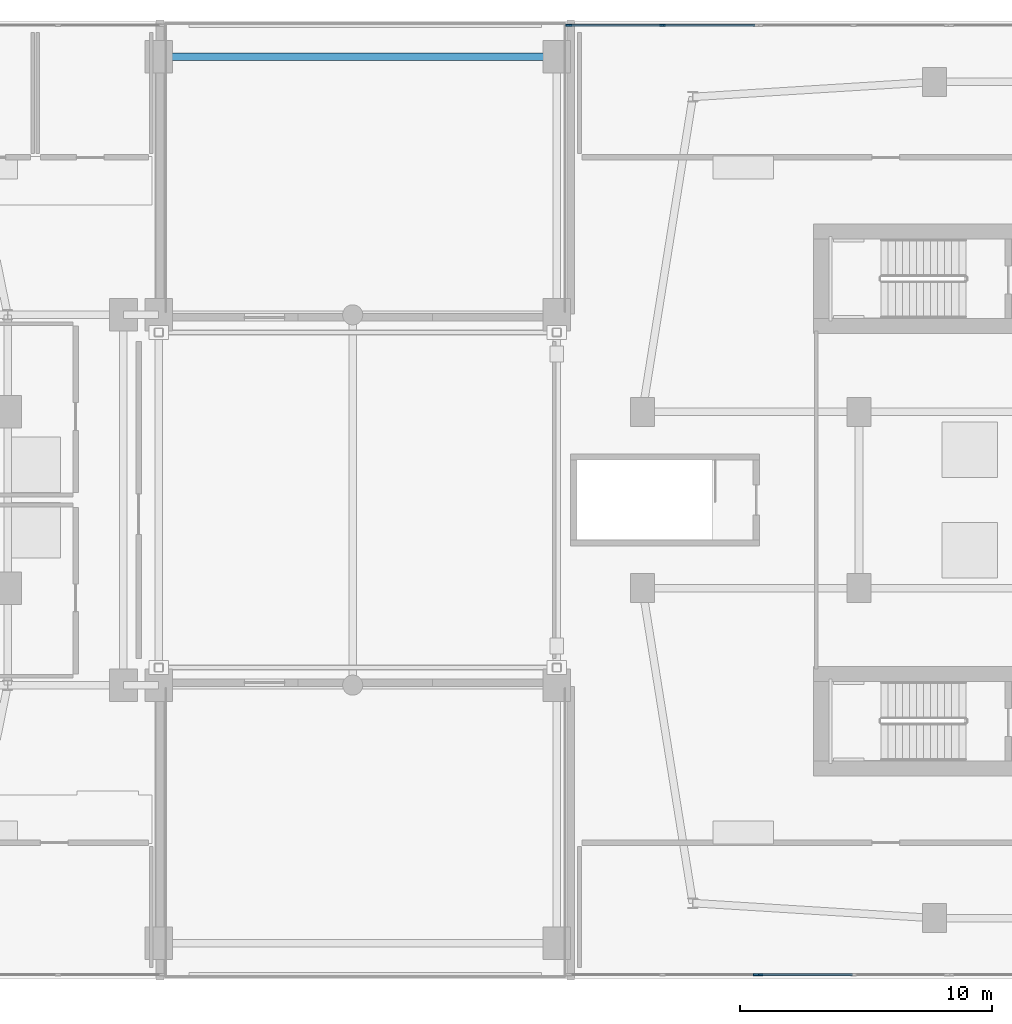
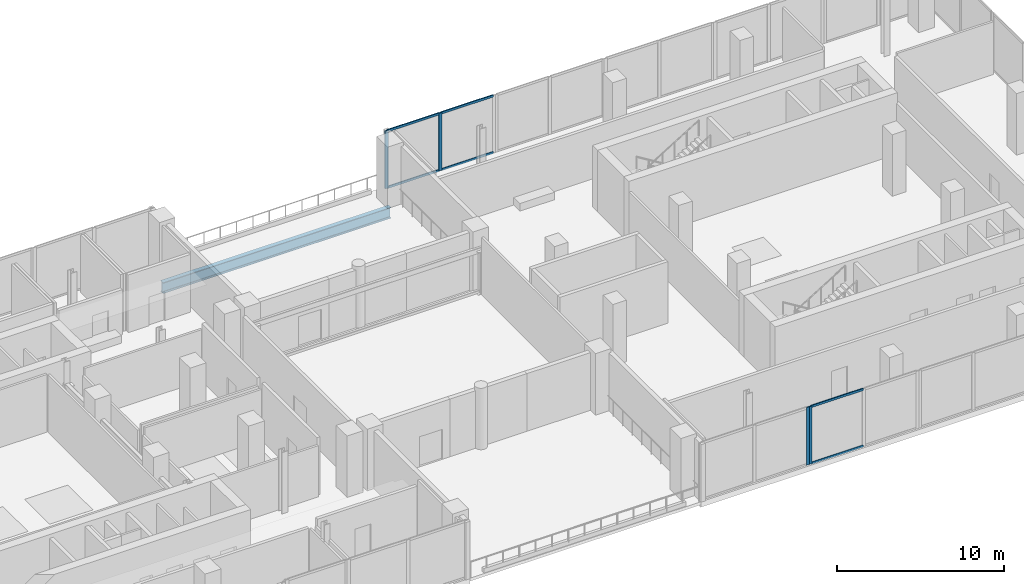
# One storey, part 9 of 21: 10 members, 1 beam, 3 elements without a shape of their own.
"""IFC4 building model written with IfcOpenShell, lengths in metres."""

from ifc_helpers import new_model, si_unit, derived_unit, direction, frame, origin, origin_2d, place, context, subcontext, project, spatial, rectangle, i_section, extrude, material, layer, layer_set, material_profile, profile_set, type_object, element, aggregate, save


model = new_model("IFC4")

# Units and contexts
model_context = context("Model", 3, precision=1e-05, world=origin(), true_north=direction((0.0, 1.0)))
body_context = subcontext(model_context, "Body", "Model", "MODEL_VIEW")
ifc_project = project(units=[si_unit("LENGTHUNIT", "METRE"), si_unit("AREAUNIT", "SQUARE_METRE"), si_unit("VOLUMEUNIT", "CUBIC_METRE"), si_unit("PLANEANGLEUNIT", "RADIAN"), si_unit("MASSUNIT", "GRAM", prefix="KILO"), derived_unit("THERMALTRANSMITTANCEUNIT", [(si_unit("POWERUNIT", "WATT"), 1), (si_unit("LENGTHUNIT", "METRE"), -2), (si_unit("THERMODYNAMICTEMPERATUREUNIT", "KELVIN"), -1)])], contexts=[model_context])

# Site, building, storey
site_placement = place(None, origin())
site = spatial("IfcSite", under=ifc_project, at=site_placement, CompositionType="ELEMENT")
building_placement = place(site_placement, origin())
building = spatial("IfcBuilding", under=site, at=building_placement, Name="Kivonza Crest Hotel", CompositionType="ELEMENT")
storey_placement = place(building_placement, frame((0.0, 0.0, 19.5)))
storey = spatial("IfcBuildingStorey", under=building, at=storey_placement, Name="L04", CompositionType="ELEMENT", Elevation=19.5)

# Beam
ifc_material_1 = material(Name="Steel S355", Category="steel")
ifc_material_profile_1 = material_profile(ifc_material_1, i_section(OverallWidth=0.300048828125, OverallDepth=0.800048828125, WebThickness=0.017578125, FlangeThickness=0.032958984375, FilletRadius=0.030029296875, at=origin_2d()), Name="HEB 800")
ifc_profile_set_1 = profile_set([ifc_material_profile_1], Name="Steel S355")
beam_type = type_object("IfcBeamType", Name="BM-HEB800", PredefinedType="BEAM", material=ifc_profile_set_1)
beam_placement = place(storey_placement, frame((41.800048828125, 42.60009765625, -0.800048828125), z_axis=(1.0, 0.0, 0.0), x_axis=(0.0, 1.0, 0.0)))
element("IfcBeam", 1, at=beam_placement, inside=storey, type_object=beam_type, Name="L04 podium girder X 30", PredefinedType="BEAM", context=body_context, shape_type="SweptSolid", body=[
    extrude(i_section(OverallWidth=0.300048828125, OverallDepth=0.800048828125, WebThickness=0.017578125, FlangeThickness=0.032958984375, FilletRadius=0.030029296875, at=origin_2d()), origin(), (0.0, 0.0, 1.0), 15.800048828125),
])

# Curtain wall, member
ifc_material_2 = material(Name="Anodised bronze aluminium and low-E double glazing", Category="aluminium")
ifc_layer = layer(ifc_material_2, 0.199951171875)
ifc_layer_set = layer_set([ifc_layer], Name="Anodised bronze aluminium and low-E double glazing")
curtain_wall_type = type_object("IfcCurtainWallType", Name="CW-SYS-6", PredefinedType="NOTDEFINED", material=ifc_layer_set)
curtain_wall_1_placement = place(storey_placement, origin())
curtain_wall_1 = element("IfcCurtainWall", 2, at=curtain_wall_1_placement, inside=storey, type_object=curtain_wall_type, Name="L04 unitised curtain wall CW-POD-L04-11", PredefinedType="NOTDEFINED")
ifc_material_3 = material(Name="Anodised bronze aluminium", Category="aluminium")
ifc_material_profile_2 = material_profile(ifc_material_3, rectangle(XDim=0.074951171875, YDim=0.219970703125, at=origin_2d()), Name="CW-M 75x220")
ifc_profile_set_2 = profile_set([ifc_material_profile_2], Name="Anodised bronze aluminium")
member_type_1 = type_object("IfcMemberType", Name="CW-MUL-75x220", PredefinedType="MULLION", material=ifc_profile_set_2)
member_1_placement = place(storey_placement, frame((65.506591796875, 6.159912109375, 0.0), z_axis=(0.0, 0.0, 1.0), x_axis=(0.0, 1.0, 0.0)))
member_1 = element("IfcMember", 3, at=member_1_placement, type_object=member_type_1, Name="CW-6 mullion 3", PredefinedType="MULLION", context=body_context, shape_type="SweptSolid", body=[
    extrude(rectangle(XDim=0.074951171875, YDim=0.219970703125, at=origin_2d()), origin(), (0.0, 0.0, 1.0), 4.219970703125),
])
aggregate(curtain_wall_1, [member_1])

curtain_wall_2_placement = place(storey_placement, origin())
curtain_wall_2 = element("IfcCurtainWall", 4, at=curtain_wall_2_placement, inside=storey, type_object=curtain_wall_type, Name="L04 unitised curtain wall CW-POD-L04-12", PredefinedType="NOTDEFINED")
member_2_placement = place(storey_placement, frame((65.66162109375, 6.159912109375, 0.0), z_axis=(0.0, 0.0, 1.0), x_axis=(0.0, 1.0, 0.0)))
member_2 = element("IfcMember", 5, at=member_2_placement, type_object=member_type_1, Name="CW-6 mullion 1", PredefinedType="MULLION", context=body_context, shape_type="SweptSolid", body=[
    extrude(rectangle(XDim=0.074951171875, YDim=0.219970703125, at=origin_2d()), origin(), (0.0, 0.0, 1.0), 4.219970703125),
])

# Curtain wall, members
curtain_wall_3_placement = place(storey_placement, origin())
curtain_wall_3 = element("IfcCurtainWall", 6, at=curtain_wall_3_placement, inside=storey, type_object=curtain_wall_type, Name="L04 unitised curtain wall CW-POD-L04-25", PredefinedType="NOTDEFINED")
member_3_placement = place(storey_placement, frame((61.7919921875, 43.840087890625, 0.0), z_axis=(0.0, 0.0, 1.0), x_axis=(0.0, -1.0, 0.0)))
member_3 = element("IfcMember", 7, at=member_3_placement, type_object=member_type_1, Name="CW-6 mullion 2", PredefinedType="MULLION", context=body_context, shape_type="SweptSolid", body=[
    extrude(rectangle(XDim=0.074951171875, YDim=0.219970703125, at=origin_2d()), origin(), (0.0, 0.0, 1.0), 4.219970703125),
])
member_4_placement = place(storey_placement, frame((58.077392578125, 43.840087890625, 0.0), z_axis=(0.0, 0.0, 1.0), x_axis=(0.0, -1.0, 0.0)))
member_4 = element("IfcMember", 8, at=member_4_placement, type_object=member_type_1, Name="CW-6 mullion 3", PredefinedType="MULLION", context=body_context, shape_type="SweptSolid", body=[
    extrude(rectangle(XDim=0.074951171875, YDim=0.219970703125, at=origin_2d()), origin(), (0.0, 0.0, 1.0), 4.219970703125),
])

# Member
ifc_material_profile_3 = material_profile(ifc_material_3, rectangle(XDim=0.074951171875, YDim=0.159912109375, at=origin_2d()), Name="CW-T 75x160")
ifc_profile_set_3 = profile_set([ifc_material_profile_3], Name="Anodised bronze aluminium")
member_type_2 = type_object("IfcMemberType", Name="CW-TRN-75x160", PredefinedType="USERDEFINED", material=ifc_profile_set_3)
member_5_placement = place(storey_placement, frame((65.698974609375, 6.159912109375, 0.03759765625), z_axis=(1.0, 0.0, 0.0), x_axis=(0.0, 1.0, 0.0)))
member_5 = element("IfcMember", 9, at=member_5_placement, type_object=member_type_2, Name="CW-6 transom 1.1", ObjectType="TRANSOM", PredefinedType="USERDEFINED", context=body_context, shape_type="SweptSolid", body=[
    extrude(rectangle(XDim=0.074951171875, YDim=0.159912109375, at=origin_2d()), origin(), (0.0, 0.0, 1.0), 3.639404296875),
])

member_6_placement = place(storey_placement, frame((65.698974609375, 6.159912109375, 4.1826171875), z_axis=(1.0, 0.0, 0.0), x_axis=(0.0, 1.0, 0.0)))
member_6 = element("IfcMember", 10, at=member_6_placement, type_object=member_type_2, Name="CW-6 transom 1.2", ObjectType="TRANSOM", PredefinedType="USERDEFINED", context=body_context, shape_type="SweptSolid", body=[
    extrude(rectangle(XDim=0.074951171875, YDim=0.159912109375, at=origin_2d()), origin(), (0.0, 0.0, 1.0), 3.639404296875),
])

aggregate(curtain_wall_2, [member_2, member_5, member_6])

member_7_placement = place(storey_placement, frame((65.468994140625, 43.840087890625, 0.03759765625), z_axis=(-1.0, 0.0, 0.0), x_axis=(0.0, -1.0, 0.0)))
member_7 = element("IfcMember", 11, at=member_7_placement, type_object=member_type_2, Name="CW-6 transom 1.1", ObjectType="TRANSOM", PredefinedType="USERDEFINED", context=body_context, shape_type="SweptSolid", body=[
    extrude(rectangle(XDim=0.074951171875, YDim=0.159912109375, at=origin_2d()), origin(), (0.0, 0.0, 1.0), 3.639404296875),
])

member_8_placement = place(storey_placement, frame((65.468994140625, 43.840087890625, 4.1826171875), z_axis=(-1.0, 0.0, 0.0), x_axis=(0.0, -1.0, 0.0)))
member_8 = element("IfcMember", 12, at=member_8_placement, type_object=member_type_2, Name="CW-6 transom 1.2", ObjectType="TRANSOM", PredefinedType="USERDEFINED", context=body_context, shape_type="SweptSolid", body=[
    extrude(rectangle(XDim=0.074951171875, YDim=0.159912109375, at=origin_2d()), origin(), (0.0, 0.0, 1.0), 3.639404296875),
])

member_9_placement = place(storey_placement, frame((61.75439453125, 43.840087890625, 0.03759765625), z_axis=(-1.0, 0.0, 0.0), x_axis=(0.0, -1.0, 0.0)))
member_9 = element("IfcMember", 13, at=member_9_placement, type_object=member_type_2, Name="CW-6 transom 2.1", ObjectType="TRANSOM", PredefinedType="USERDEFINED", context=body_context, shape_type="SweptSolid", body=[
    extrude(rectangle(XDim=0.074951171875, YDim=0.159912109375, at=origin_2d()), origin(), (0.0, 0.0, 1.0), 3.639404296875),
])

member_10_placement = place(storey_placement, frame((61.75439453125, 43.840087890625, 4.1826171875), z_axis=(-1.0, 0.0, 0.0), x_axis=(0.0, -1.0, 0.0)))
member_10 = element("IfcMember", 14, at=member_10_placement, type_object=member_type_2, Name="CW-6 transom 2.2", ObjectType="TRANSOM", PredefinedType="USERDEFINED", context=body_context, shape_type="SweptSolid", body=[
    extrude(rectangle(XDim=0.074951171875, YDim=0.159912109375, at=origin_2d()), origin(), (0.0, 0.0, 1.0), 3.639404296875),
])

aggregate(curtain_wall_3, [member_3, member_4, member_7, member_8, member_9, member_10])

save(model, "model.ifc")
